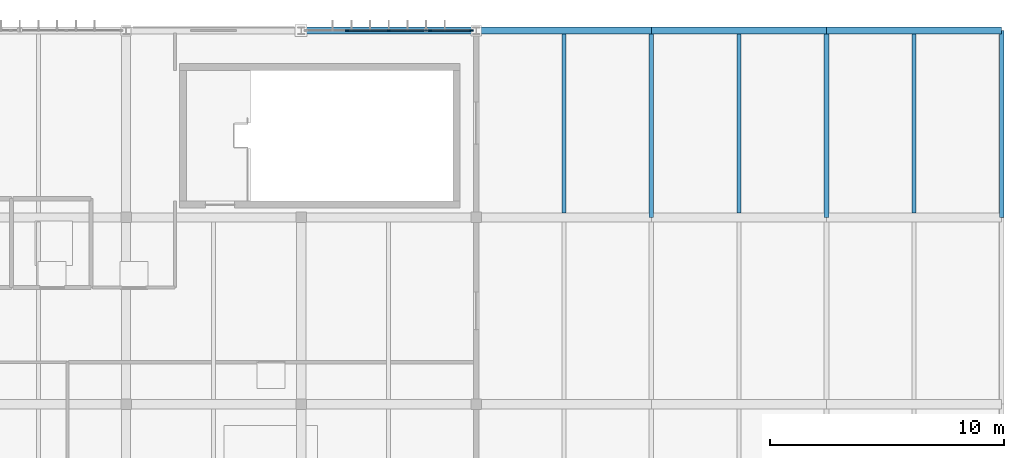
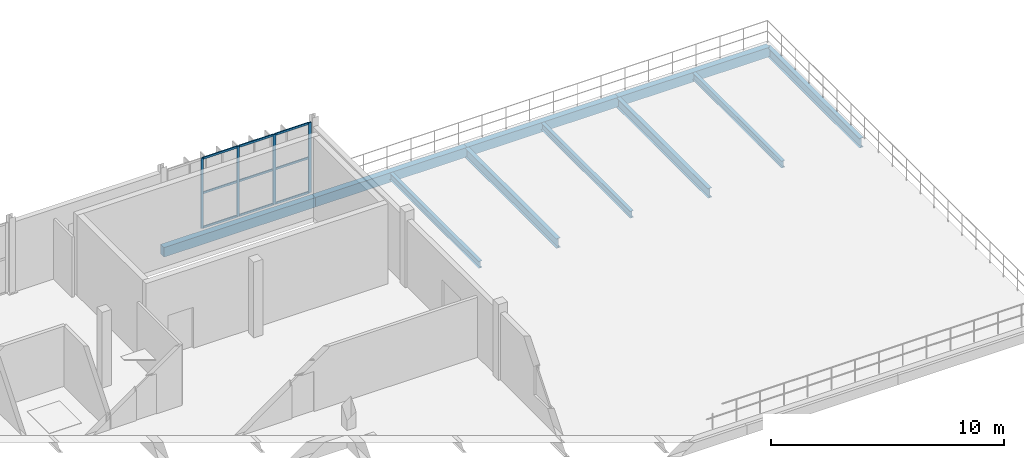
# One storey, part 16 of 26: 13 members, 10 beams, 1 element without a shape of its own.
"""IFC4 building model written with IfcOpenShell, lengths in metres."""

from ifc_helpers import new_model, si_unit, direction, frame, origin, origin_2d, place, context, subcontext, project, spatial, rectangle, i_section, extrude, material, material_profile, profile_set, type_object, element, aggregate, save


model = new_model("IFC4")

# Units and contexts
model_context = context("Model", 3, precision=1e-05, world=origin(), true_north=direction((0.0, 1.0)))
body_context = subcontext(model_context, "Body", "Model", "MODEL_VIEW")
ifc_project = project(units=[si_unit("LENGTHUNIT", "METRE"), si_unit("AREAUNIT", "SQUARE_METRE"), si_unit("VOLUMEUNIT", "CUBIC_METRE"), si_unit("PLANEANGLEUNIT", "RADIAN"), si_unit("MASSUNIT", "GRAM", prefix="KILO")], contexts=[model_context])

# Site, building, storey
site_placement = place(None, origin())
site = spatial("IfcSite", under=ifc_project, at=site_placement, CompositionType="ELEMENT")
building_placement = place(site_placement, origin())
building = spatial("IfcBuilding", under=site, at=building_placement, Name="Vourika Railside Aquatics Centre", CompositionType="ELEMENT")
storey_placement = place(building_placement, frame((0.0, 0.0, 17.699951171875)))
storey = spatial("IfcBuildingStorey", under=building, at=storey_placement, Name="L04", CompositionType="ELEMENT", Elevation=17.699951171875)

# Beams
ifc_material_1 = material(Name="Concrete C35/45", Category="concrete")
ifc_material_profile_1 = material_profile(ifc_material_1, rectangle(XDim=0.300048828125, YDim=0.5, at=origin_2d()), Name="RC 300x500")
ifc_profile_set_1 = profile_set([ifc_material_profile_1], Name="Concrete C35/45")
beam_type_1 = type_object("IfcBeamType", Name="BM-SPAN-300x500", PredefinedType="SPANDREL", material=ifc_profile_set_1)
for number, where, z_axis, x_axis, name in (
    (1, (81.0, 116.0, -0.5), (1.0, 0.0, 0.0), (0.0, 1.0, 0.0), "Floor Beam GX-L04-050"),
    (2, (88.5, 116.0, -0.5), (1.0, 0.0, 0.0), (0.0, 1.0, 0.0), "Floor Beam GX-L04-051"),
    (3, (96.0, 116.0, -0.5), (1.0, 0.0, 0.0), (0.0, 1.0, 0.0), "Floor Beam GX-L04-052"),
    (4, (103.5, 116.0, -0.5), (1.0, 0.0, 0.0), (0.0, 1.0, 0.0), "Floor Beam GX-L04-053"),
):
    element("IfcBeam", number, at=place(storey_placement, frame(where, z_axis=z_axis, x_axis=x_axis)), inside=storey, type_object=beam_type_1, Name=name, PredefinedType="SPANDREL", context=body_context, shape_type="SweptSolid", body=[
        extrude(rectangle(XDim=0.300048828125, YDim=0.5, at=origin_2d()), origin(), (0.0, 0.0, 1.0), 7.5),
    ])
ifc_material_2 = material(Name="Steel S355J2", Category="steel")
ifc_material_profile_2 = material_profile(ifc_material_2, i_section(OverallWidth=0.169921875, OverallDepth=0.360107421875, WebThickness=0.008056640625, FlangeThickness=0.0126953125, at=origin_2d()), Name="IPE 360")
ifc_profile_set_2 = profile_set([ifc_material_profile_2], Name="Steel S355J2")
beam_type_2 = type_object("IfcBeamType", Name="BM-STL-IPE360", PredefinedType="JOIST", material=ifc_profile_set_2)
for number, where, z_axis, x_axis, name in (
    (5, (92.25, 108.199951171875, -0.429931640625), (0.0, 1.0, 0.0), (-1.0, 0.0, 0.0), "Secondary Joist JY-L04-131"),
    (6, (99.75, 108.199951171875, -0.429931640625), (0.0, 1.0, 0.0), (-1.0, 0.0, 0.0), "Secondary Joist JY-L04-132"),
    (7, (107.25, 108.199951171875, -0.429931640625), (0.0, 1.0, 0.0), (-1.0, 0.0, 0.0), "Secondary Joist JY-L04-133"),
):
    element("IfcBeam", number, at=place(storey_placement, frame(where, z_axis=z_axis, x_axis=x_axis)), inside=storey, type_object=beam_type_2, Name=name, PredefinedType="JOIST", context=body_context, shape_type="SweptSolid", body=[
        extrude(i_section(OverallWidth=0.169921875, OverallDepth=0.360107421875, WebThickness=0.008056640625, FlangeThickness=0.0126953125, at=origin_2d()), origin(), (0.0, 0.0, 1.0), 7.650146484375),
    ])
ifc_material_profile_3 = material_profile(ifc_material_2, i_section(OverallWidth=0.199951171875, OverallDepth=0.5, WebThickness=0.01025390625, FlangeThickness=0.01611328125, at=origin_2d()), Name="IPE 500")
ifc_profile_set_3 = profile_set([ifc_material_profile_3], Name="Steel S355J2")
beam_type_3 = type_object("IfcBeamType", Name="BM-STL-IPE500", PredefinedType="BEAM", material=ifc_profile_set_3)
for number, where, z_axis, x_axis, name in (
    (8, (96.0, 108.0, -0.5), (0.0, 1.0, 0.0), (-1.0, 0.0, 0.0), "Floor Girder GY-L04-092"),
    (9, (103.5, 108.0, -0.5), (0.0, 1.0, 0.0), (-1.0, 0.0, 0.0), "Floor Girder GY-L04-095"),
    (10, (111.0, 108.0, -0.5), (0.0, 1.0, 0.0), (-1.0, 0.0, 0.0), "Floor Girder GY-L04-098"),
):
    element("IfcBeam", number, at=place(storey_placement, frame(where, z_axis=z_axis, x_axis=x_axis)), inside=storey, type_object=beam_type_3, Name=name, PredefinedType="BEAM", context=body_context, shape_type="SweptSolid", body=[
        extrude(i_section(OverallWidth=0.199951171875, OverallDepth=0.5, WebThickness=0.01025390625, FlangeThickness=0.01611328125, at=origin_2d()), origin(), (0.0, 0.0, 1.0), 8.0),
    ])

# Curtain wall, members
ifc_material_3 = material(Name="Anodized thermally broken aluminium", Category="aluminium")
curtain_wall_type = type_object("IfcCurtainWallType", Name="CW-FIT4", PredefinedType="NOTDEFINED", material=ifc_material_3)
curtain_wall_placement = place(storey_placement, origin())
curtain_wall = element("IfcCurtainWall", 11, at=curtain_wall_placement, inside=storey, type_object=curtain_wall_type, Name="North Boulevard Curtain Wall L04-9", PredefinedType="NOTDEFINED")
ifc_material_4 = material(Name="Anodized aluminium mullion", Category="aluminium")
ifc_material_profile_4 = material_profile(ifc_material_4, rectangle(XDim=0.054931640625, YDim=0.135009765625, at=origin_2d()), Name="ALU-M 55x135")
ifc_profile_set_4 = profile_set([ifc_material_profile_4], Name="Anodized aluminium mullion")
member_type_1 = type_object("IfcMemberType", Name="CWM-FIT4", PredefinedType="MULLION", material=ifc_profile_set_4)
member_1_placement = place(storey_placement, frame((88.29248046875, 116.0, 0.0), z_axis=(0.0, 0.0, 1.0), x_axis=(0.0, -1.0, 0.0)))
member_1 = element("IfcMember", 12, at=member_1_placement, type_object=member_type_1, Name="CW18 mullion 1", PredefinedType="MULLION", context=body_context, shape_type="SweptSolid", body=[
    extrude(rectangle(XDim=0.054931640625, YDim=0.135009765625, at=origin_2d()), origin(), (0.0, 0.0, 1.0), 3.670166015625),
])
member_2_placement = place(storey_placement, frame((86.534912109375, 116.0, 0.0), z_axis=(0.0, 0.0, 1.0), x_axis=(0.0, -1.0, 0.0)))
member_2 = element("IfcMember", 13, at=member_2_placement, type_object=member_type_1, Name="CW18 mullion 2", PredefinedType="MULLION", context=body_context, shape_type="SweptSolid", body=[
    extrude(rectangle(XDim=0.054931640625, YDim=0.135009765625, at=origin_2d()), origin(), (0.0, 0.0, 1.0), 3.670166015625),
])
member_3_placement = place(storey_placement, frame((84.75, 116.0, 0.0), z_axis=(0.0, 0.0, 1.0), x_axis=(0.0, -1.0, 0.0)))
member_3 = element("IfcMember", 14, at=member_3_placement, type_object=member_type_1, Name="CW18 mullion 3", PredefinedType="MULLION", context=body_context, shape_type="SweptSolid", body=[
    extrude(rectangle(XDim=0.054931640625, YDim=0.135009765625, at=origin_2d()), origin(), (0.0, 0.0, 1.0), 3.670166015625),
])
member_4_placement = place(storey_placement, frame((82.965087890625, 116.0, 0.0), z_axis=(0.0, 0.0, 1.0), x_axis=(0.0, -1.0, 0.0)))
member_4 = element("IfcMember", 15, at=member_4_placement, type_object=member_type_1, Name="CW18 mullion 4", PredefinedType="MULLION", context=body_context, shape_type="SweptSolid", body=[
    extrude(rectangle(XDim=0.054931640625, YDim=0.135009765625, at=origin_2d()), origin(), (0.0, 0.0, 1.0), 3.670166015625),
])
ifc_material_5 = material(Name="Anodized aluminium transom", Category="aluminium")
ifc_material_profile_5 = material_profile(ifc_material_5, rectangle(XDim=0.054931640625, YDim=0.10595703125, at=origin_2d()), Name="ALU-T 55x106")
ifc_profile_set_5 = profile_set([ifc_material_profile_5], Name="Anodized aluminium transom")
member_type_2 = type_object("IfcMemberType", Name="CWT-FIT4", PredefinedType="USERDEFINED", material=ifc_profile_set_5)
member_5_placement = place(storey_placement, frame((88.264892578125, 116.0, 0.027587890625), z_axis=(-1.0, 0.0, 0.0), x_axis=(0.0, -1.0, 0.0)))
member_5 = element("IfcMember", 16, at=member_5_placement, type_object=member_type_2, Name="CW18 transom 1.1", ObjectType="TRANSOM", PredefinedType="USERDEFINED", context=body_context, shape_type="SweptSolid", body=[
    extrude(rectangle(XDim=0.054931640625, YDim=0.10595703125, at=origin_2d()), origin(), (0.0, 0.0, 1.0), 1.702392578125),
])
member_6_placement = place(storey_placement, frame((88.264892578125, 116.0, 1.8349609375), z_axis=(-1.0, 0.0, 0.0), x_axis=(0.0, -1.0, 0.0)))
member_6 = element("IfcMember", 17, at=member_6_placement, type_object=member_type_2, Name="CW18 transom 1.2", ObjectType="TRANSOM", PredefinedType="USERDEFINED", context=body_context, shape_type="SweptSolid", body=[
    extrude(rectangle(XDim=0.054931640625, YDim=0.10595703125, at=origin_2d()), origin(), (0.0, 0.0, 1.0), 1.702392578125),
])
member_7_placement = place(storey_placement, frame((88.264892578125, 116.0, 3.642578125), z_axis=(-1.0, 0.0, 0.0), x_axis=(0.0, -1.0, 0.0)))
member_7 = element("IfcMember", 18, at=member_7_placement, type_object=member_type_2, Name="CW18 transom 1.3", ObjectType="TRANSOM", PredefinedType="USERDEFINED", context=body_context, shape_type="SweptSolid", body=[
    extrude(rectangle(XDim=0.054931640625, YDim=0.10595703125, at=origin_2d()), origin(), (0.0, 0.0, 1.0), 1.702392578125),
])
member_8_placement = place(storey_placement, frame((86.507568359375, 116.0, 0.027587890625), z_axis=(-1.0, 0.0, 0.0), x_axis=(0.0, -1.0, 0.0)))
member_8 = element("IfcMember", 19, at=member_8_placement, type_object=member_type_2, Name="CW18 transom 2.1", ObjectType="TRANSOM", PredefinedType="USERDEFINED", context=body_context, shape_type="SweptSolid", body=[
    extrude(rectangle(XDim=0.054931640625, YDim=0.10595703125, at=origin_2d()), origin(), (0.0, 0.0, 1.0), 1.72998046875),
])
member_9_placement = place(storey_placement, frame((86.507568359375, 116.0, 1.8349609375), z_axis=(-1.0, 0.0, 0.0), x_axis=(0.0, -1.0, 0.0)))
member_9 = element("IfcMember", 20, at=member_9_placement, type_object=member_type_2, Name="CW18 transom 2.2", ObjectType="TRANSOM", PredefinedType="USERDEFINED", context=body_context, shape_type="SweptSolid", body=[
    extrude(rectangle(XDim=0.054931640625, YDim=0.10595703125, at=origin_2d()), origin(), (0.0, 0.0, 1.0), 1.72998046875),
])
member_10_placement = place(storey_placement, frame((86.507568359375, 116.0, 3.642578125), z_axis=(-1.0, 0.0, 0.0), x_axis=(0.0, -1.0, 0.0)))
member_10 = element("IfcMember", 21, at=member_10_placement, type_object=member_type_2, Name="CW18 transom 2.3", ObjectType="TRANSOM", PredefinedType="USERDEFINED", context=body_context, shape_type="SweptSolid", body=[
    extrude(rectangle(XDim=0.054931640625, YDim=0.10595703125, at=origin_2d()), origin(), (0.0, 0.0, 1.0), 1.72998046875),
])
member_11_placement = place(storey_placement, frame((84.722412109375, 116.0, 0.027587890625), z_axis=(-1.0, 0.0, 0.0), x_axis=(0.0, -1.0, 0.0)))
member_11 = element("IfcMember", 22, at=member_11_placement, type_object=member_type_2, Name="CW18 transom 3.1", ObjectType="TRANSOM", PredefinedType="USERDEFINED", context=body_context, shape_type="SweptSolid", body=[
    extrude(rectangle(XDim=0.054931640625, YDim=0.10595703125, at=origin_2d()), origin(), (0.0, 0.0, 1.0), 1.72998046875),
])
member_12_placement = place(storey_placement, frame((84.722412109375, 116.0, 1.8349609375), z_axis=(-1.0, 0.0, 0.0), x_axis=(0.0, -1.0, 0.0)))
member_12 = element("IfcMember", 23, at=member_12_placement, type_object=member_type_2, Name="CW18 transom 3.2", ObjectType="TRANSOM", PredefinedType="USERDEFINED", context=body_context, shape_type="SweptSolid", body=[
    extrude(rectangle(XDim=0.054931640625, YDim=0.10595703125, at=origin_2d()), origin(), (0.0, 0.0, 1.0), 1.72998046875),
])
member_13_placement = place(storey_placement, frame((84.722412109375, 116.0, 3.642578125), z_axis=(-1.0, 0.0, 0.0), x_axis=(0.0, -1.0, 0.0)))
member_13 = element("IfcMember", 24, at=member_13_placement, type_object=member_type_2, Name="CW18 transom 3.3", ObjectType="TRANSOM", PredefinedType="USERDEFINED", context=body_context, shape_type="SweptSolid", body=[
    extrude(rectangle(XDim=0.054931640625, YDim=0.10595703125, at=origin_2d()), origin(), (0.0, 0.0, 1.0), 1.72998046875),
])
aggregate(curtain_wall, [member_1, member_2, member_3, member_4, member_5, member_6, member_7, member_8, member_9, member_10, member_11, member_12, member_13])

save(model, "model.ifc")
